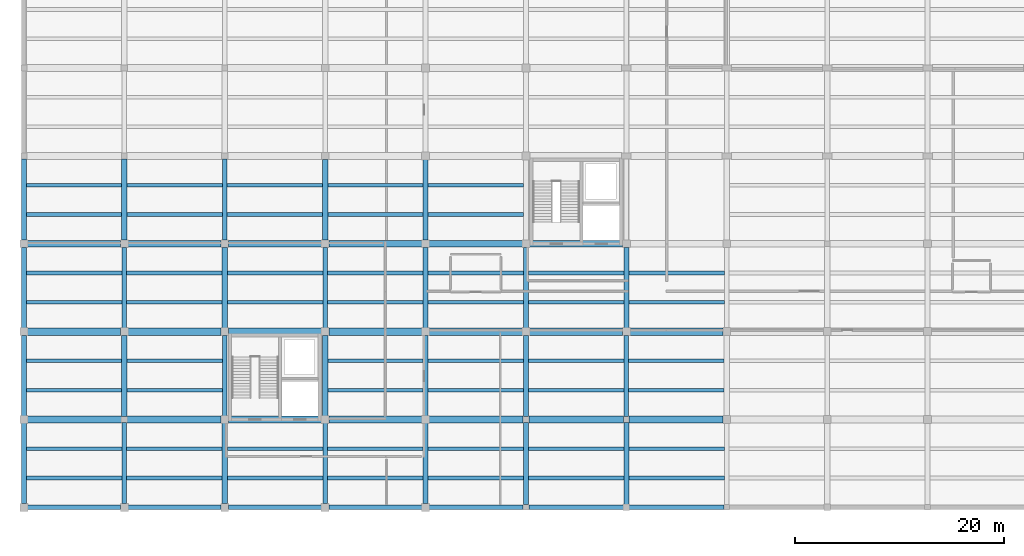
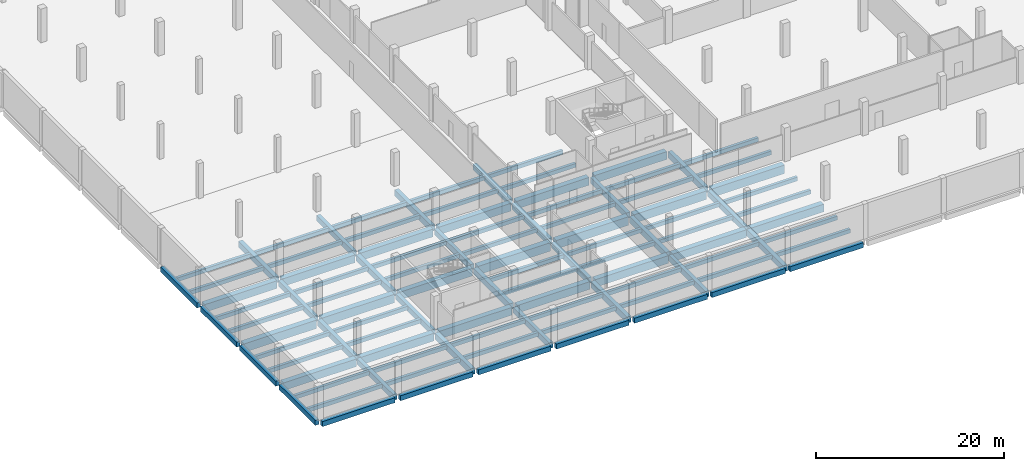
# One storey, part 5 of 30: 103 beams.
"""IFC4 building model written with IfcOpenShell, lengths in metres."""

import ifcopenshell
import ifcopenshell.guid

model = None  # the IFC model being written
_history = None  # IfcOwnerHistory: only IFC2X3 demands one
_inside = {}  # id of a spatial element -> (the spatial element, [elements in it])
_under = {}  # id of a project, library or spatial element -> (it, [spatial elements below it])
_declared = {}  # id of a project -> (the project, [libraries it declares])
_typed = {}  # id of a type object -> (the type object, [elements of that type])
_made_of = {}  # id of a material, layer set ... -> (it, [elements and type objects made of it])


def new_model(schema):
    """Start an empty IFC model of exactly this schema.

    Asked for "IFC4X3", IfcOpenShell would pick the latest addendum, in which some entities
    have other attributes; the version numbers below select the first issue.
    IFC2X3 requires an IfcOwnerHistory on every rooted entity: one is made here for all.
    """
    global model, _history
    if schema == "IFC4X3":
        model = ifcopenshell.file(schema_version=(4, 3, 0, 0))
    else:
        model = ifcopenshell.file(schema=schema)
    _inside.clear()
    _under.clear()
    _declared.clear()
    _typed.clear()
    _made_of.clear()
    _history = None
    if model.schema == "IFC2X3":
        org = make("IfcOrganization", Name="unknown")
        user = make(
            "IfcPersonAndOrganization",
            ThePerson=make("IfcPerson", FamilyName="unknown"),
            TheOrganization=org,
        )
        app = make(
            "IfcApplication",
            ApplicationDeveloper=org,
            Version="unknown",
            ApplicationFullName="unknown",
            ApplicationIdentifier="unknown",
        )
        _history = make(
            "IfcOwnerHistory",
            OwningUser=user,
            OwningApplication=app,
            ChangeAction="ADDED",
            CreationDate=0,
        )
    return model


def make(cls, **values):
    """One entity of the class cls with the attributes given. An attribute that is None is left unset."""
    return model.create_entity(
        cls, **{name: value for name, value in values.items() if value is not None}
    )


def rooted(cls, **values):
    """An entity with a GlobalId (a new one), such as an element, a storey or a relation."""
    return make(cls, GlobalId=ifcopenshell.guid.new(), OwnerHistory=_history, **values)


def si_unit(unit_type, name, prefix=None):
    """IfcSIUnit, for example si_unit("LENGTHUNIT", "METRE", prefix="MILLI")."""
    return make("IfcSIUnit", UnitType=unit_type, Prefix=prefix, Name=name)


def assignment(units):
    """IfcUnitAssignment: the units of a project."""
    return None if units is None else make("IfcUnitAssignment", Units=units)


def point(xyz):
    """IfcCartesianPoint."""
    return None if xyz is None else make("IfcCartesianPoint", Coordinates=xyz)


def direction(xyz):
    """IfcDirection."""
    return None if xyz is None else make("IfcDirection", DirectionRatios=xyz)


def frame(location, z_axis=None, x_axis=None):
    """IfcAxis2Placement3D, a coordinate frame: its origin and axes. An axis left out is left unset."""
    return make(
        "IfcAxis2Placement3D",
        Location=point(location),
        Axis=direction(z_axis),
        RefDirection=direction(x_axis),
    )


def frame_2d(location, x_axis=None):
    """IfcAxis2Placement2D, a coordinate frame in the plane: its origin and x axis."""
    return make(
        "IfcAxis2Placement2D", Location=point(location), RefDirection=direction(x_axis)
    )


def origin():
    """The frame at (0, 0, 0) with its axes left unset."""
    return frame((0.0, 0.0, 0.0))


def origin_2d():
    """The frame at (0, 0) in the plane with its x axis left unset."""
    return frame_2d((0.0, 0.0))


def place(relative_to, where):
    """IfcLocalPlacement: puts the frame where relative to a parent placement (None: the world)."""
    return make(
        "IfcLocalPlacement", PlacementRelTo=relative_to, RelativePlacement=where
    )


def context(
    kind, dimensions, precision=None, world=None, true_north=None, identifier=None
):
    """IfcGeometricRepresentationContext, for example the 3D "Model" context."""
    return make(
        "IfcGeometricRepresentationContext",
        ContextIdentifier=identifier,
        ContextType=kind,
        CoordinateSpaceDimension=dimensions,
        Precision=precision,
        WorldCoordinateSystem=world,
        TrueNorth=true_north,
    )


def subcontext(parent, identifier, kind, view, scale=None):
    """IfcGeometricRepresentationSubContext, for example "Body" below "Model"."""
    return make(
        "IfcGeometricRepresentationSubContext",
        ContextIdentifier=identifier,
        ContextType=kind,
        ParentContext=parent,
        TargetScale=scale,
        TargetView=view,
    )


def project(units=None, contexts=None):
    """IfcProject with its units and contexts."""
    return rooted(
        "IfcProject",
        Name="project",
        RepresentationContexts=contexts,
        UnitsInContext=assignment(units),
    )


def spatial(cls, under=None, at=None, **own):
    """A site, building, storey or space (cls), placed at a placement, below another one or the project."""
    s = rooted(cls, ObjectPlacement=at, **own)
    if under is not None:
        _under.setdefault(under.id(), (under, []))[1].append(s)
    return s


def profile(cls, at=None, kind="AREA", **sizes):
    """A parametric profile (cls). Its sizes go by their IFC names, for example OverallWidth=200.0."""
    return make(cls, ProfileType=kind, Position=at, **sizes)


def rectangle(**sizes):
    """IfcRectangleProfileDef."""
    return profile("IfcRectangleProfileDef", **sizes)


def extrude(swept, where, along, depth):
    """IfcExtrudedAreaSolid: the profile swept, set in the frame where, extruded along a direction by depth."""
    return make(
        "IfcExtrudedAreaSolid",
        SweptArea=swept,
        Position=where,
        ExtrudedDirection=direction(along),
        Depth=depth,
    )


def shape(context_of_items, identifier, shape_type, items):
    """IfcShapeRepresentation: the items that make up one representation, for example the "Body"."""
    return make(
        "IfcShapeRepresentation",
        ContextOfItems=context_of_items,
        RepresentationIdentifier=identifier,
        RepresentationType=shape_type,
        Items=items,
    )


def material(Name=None, Category=None):
    """IfcMaterial."""
    return make("IfcMaterial", Name=Name, Category=Category)


def material_profile(
    of_material, cross_section, Name=None, Category=None, Priority=None
):
    """IfcMaterialProfile: a cross section and its material."""
    return make(
        "IfcMaterialProfile",
        Name=Name,
        Material=of_material,
        Profile=cross_section,
        Priority=Priority,
        Category=Category,
    )


def profile_set(profiles, Name=None, composite=None):
    """IfcMaterialProfileSet."""
    return make(
        "IfcMaterialProfileSet",
        Name=Name,
        MaterialProfiles=profiles,
        CompositeProfile=composite,
    )


def made_of(thing, what):
    """Note that an element or type object is made of a material, layer set ...; save() writes the relation."""
    if what is not None:
        _made_of.setdefault(what.id(), (what, []))[1].append(thing)
    return thing


def type_object(cls, material=None, **own):
    """A type object (cls), such as IfcWallType, which elements share."""
    return made_of(rooted(cls, **own), material)


def element(
    cls,
    number,
    at=None,
    inside=None,
    cuts=None,
    type_object=None,
    material=None,
    context=None,
    identifier="Body",
    shape_type=None,
    held_by="IfcProductDefinitionShape",
    body=None,
    shapes=None,
    **own,
):
    """One element of the class cls, such as IfcWall. Its Tag is "e" and its number.

    at: its placement. inside: the storey or other place that contains it. cuts: it is an
    opening in that element (IfcRelVoidsElement). A single representation is given by context,
    identifier, shape_type and body (its items); several are given by shapes. held_by: the class
    of the entity that holds the representations. save() writes the other relations.
    """
    e = rooted(cls, Tag="e%d" % number, ObjectPlacement=at, **own)
    if body is not None:
        shapes = [shape(context, identifier, shape_type, body)]
    if shapes is not None:
        e.Representation = make(held_by, Representations=shapes)
    if inside is not None:
        _inside.setdefault(inside.id(), (inside, []))[1].append(e)
    if cuts is not None:
        rooted(
            "IfcRelVoidsElement", RelatingBuildingElement=cuts, RelatedOpeningElement=e
        )
    if type_object is not None:
        _typed.setdefault(type_object.id(), (type_object, []))[1].append(e)
    return made_of(e, material)


def aggregate(whole, parts):
    """IfcRelAggregates: a whole, such as a stair, and the parts it consists of."""
    return rooted("IfcRelAggregates", RelatingObject=whole, RelatedObjects=parts)


def save(model, path):
    """Write the relations noted so far, then the file.

    IfcRelAggregates (storeys below a building ...), IfcRelContainedInSpatialStructure (elements
    in a storey), IfcRelDefinesByType, IfcRelAssociatesMaterial and IfcRelDeclares: one each for
    every whole, place, type object, material and project.
    """
    for whole, parts in _under.values():
        aggregate(whole, parts)
    for where, things in _inside.values():
        rooted(
            "IfcRelContainedInSpatialStructure",
            RelatedElements=things,
            RelatingStructure=where,
        )
    for kind, things in _typed.values():
        rooted("IfcRelDefinesByType", RelatedObjects=things, RelatingType=kind)
    for what, things in _made_of.values():
        rooted("IfcRelAssociatesMaterial", RelatedObjects=things, RelatingMaterial=what)
    for by, libraries in _declared.values():
        rooted("IfcRelDeclares", RelatingContext=by, RelatedDefinitions=libraries)
    model.write(path)


model = new_model("IFC4")

# Units and contexts
model_context = context("Model", 3, precision=1e-05, world=origin(), true_north=direction((0.0, 1.0)))
body_context = subcontext(model_context, "Body", "Model", "MODEL_VIEW")
ifc_project = project(units=[si_unit("LENGTHUNIT", "METRE"), si_unit("AREAUNIT", "SQUARE_METRE"), si_unit("VOLUMEUNIT", "CUBIC_METRE"), si_unit("PLANEANGLEUNIT", "RADIAN"), si_unit("MASSUNIT", "GRAM", prefix="KILO")], contexts=[model_context])

# Site, building, storey
site_placement = place(None, origin())
site = spatial("IfcSite", under=ifc_project, at=site_placement, CompositionType="ELEMENT")
building_placement = place(site_placement, origin())
building = spatial("IfcBuilding", under=site, at=building_placement, Name="Lornevale Opera House", CompositionType="ELEMENT")
storey_placement = place(building_placement, frame((0.0, 0.0, -4.800048828125)))
storey = spatial("IfcBuildingStorey", under=building, at=storey_placement, Name="B1", CompositionType="ELEMENT", Elevation=-4.800048828125)

# Beams
ifc_material_1 = material(Name="Concrete 35 MPa (CSA A23.1 N)", Category="concrete")
ifc_material_profile_1 = material_profile(ifc_material_1, rectangle(XDim=0.449951171875, YDim=0.75, at=origin_2d()), Name="RC450x750")
ifc_profile_set_1 = profile_set([ifc_material_profile_1], Name="Concrete 35 MPa (CSA A23.1 N)")
beam_type_1 = type_object("IfcBeamType", Name="Concrete Floor Beam 450x750", PredefinedType="USERDEFINED", material=ifc_profile_set_1)
beam_1_placement = place(storey_placement, frame((9.60009765625, 0.35009765625, -0.794921875), z_axis=(0.0, 1.0, 0.0), x_axis=(-1.0, 0.0, 0.0)))
element("IfcBeam", 1, at=beam_1_placement, inside=storey, type_object=beam_type_1, Name="Concrete Floor Beam 450x750 0246", ObjectType="GIRDER", PredefinedType="USERDEFINED", context=body_context, shape_type="SweptSolid", body=[
    extrude(rectangle(XDim=0.449951171875, YDim=0.75, at=origin_2d()), origin(), (0.0, 0.0, 1.0), 7.77490234375),
])
beam_2_placement = place(storey_placement, frame((9.60009765625, 17.14990234375, -0.794921875), z_axis=(0.0, 1.0, 0.0), x_axis=(-1.0, 0.0, 0.0)))
element("IfcBeam", 2, at=beam_2_placement, inside=storey, type_object=beam_type_1, Name="Concrete Floor Beam 450x750 0248", ObjectType="GIRDER", PredefinedType="USERDEFINED", context=body_context, shape_type="SweptSolid", body=[
    extrude(rectangle(XDim=0.449951171875, YDim=0.75, at=origin_2d()), origin(), (0.0, 0.0, 1.0), 7.7001953125),
])
beam_3_placement = place(storey_placement, frame((19.199951171875, 8.75, -0.794921875), z_axis=(0.0, 1.0, 0.0), x_axis=(-1.0, 0.0, 0.0)))
element("IfcBeam", 3, at=beam_3_placement, inside=storey, type_object=beam_type_1, Name="Concrete Floor Beam 450x750 0259", ObjectType="GIRDER", PredefinedType="USERDEFINED", context=body_context, shape_type="SweptSolid", body=[
    extrude(rectangle(XDim=0.449951171875, YDim=0.75, at=origin_2d()), origin(), (0.0, 0.0, 1.0), 7.699951171875),
])
beam_4_placement = place(storey_placement, frame((19.199951171875, 25.550048828125, -0.794921875), z_axis=(0.0, 1.0, 0.0), x_axis=(-1.0, 0.0, 0.0)))
element("IfcBeam", 4, at=beam_4_placement, inside=storey, type_object=beam_type_1, Name="Concrete Floor Beam 450x750 0261", ObjectType="GIRDER", PredefinedType="USERDEFINED", context=body_context, shape_type="SweptSolid", body=[
    extrude(rectangle(XDim=0.449951171875, YDim=0.75, at=origin_2d()), origin(), (0.0, 0.0, 1.0), 7.77490234375),
])
beam_5_placement = place(storey_placement, frame((28.800048828125, 0.35009765625, -0.794921875), z_axis=(0.0, 1.0, 0.0), x_axis=(-1.0, 0.0, 0.0)))
element("IfcBeam", 5, at=beam_5_placement, inside=storey, type_object=beam_type_1, Name="Concrete Floor Beam 450x750 0270", ObjectType="GIRDER", PredefinedType="USERDEFINED", context=body_context, shape_type="SweptSolid", body=[
    extrude(rectangle(XDim=0.449951171875, YDim=0.75, at=origin_2d()), origin(), (0.0, 0.0, 1.0), 7.699951171875),
])
beam_6_placement = place(storey_placement, frame((28.800048828125, 17.14990234375, -0.794921875), z_axis=(0.0, 1.0, 0.0), x_axis=(-1.0, 0.0, 0.0)))
element("IfcBeam", 6, at=beam_6_placement, inside=storey, type_object=beam_type_1, Name="Concrete Floor Beam 450x750 0272", ObjectType="GIRDER", PredefinedType="USERDEFINED", context=body_context, shape_type="SweptSolid", body=[
    extrude(rectangle(XDim=0.449951171875, YDim=0.75, at=origin_2d()), origin(), (0.0, 0.0, 1.0), 7.7001953125),
])
for number, where, z_axis, x_axis, name in (
    (7, (38.39990234375, 8.75, -0.794921875), (0.0, 1.0, 0.0), (-1.0, 0.0, 0.0), "Concrete Floor Beam 450x750 0283"),
    (8, (38.39990234375, 25.550048828125, -0.794921875), (0.0, 1.0, 0.0), (-1.0, 0.0, 0.0), "Concrete Floor Beam 450x750 0285"),
):
    element("IfcBeam", number, at=place(storey_placement, frame(where, z_axis=z_axis, x_axis=x_axis)), inside=storey, type_object=beam_type_1, Name=name, ObjectType="GIRDER", PredefinedType="USERDEFINED", context=body_context, shape_type="SweptSolid", body=[
        extrude(rectangle(XDim=0.449951171875, YDim=0.75, at=origin_2d()), origin(), (0.0, 0.0, 1.0), 7.699951171875),
    ])
beam_7_placement = place(storey_placement, frame((48.0, 0.27490234375, -0.794921875), z_axis=(0.0, 1.0, 0.0), x_axis=(-1.0, 0.0, 0.0)))
element("IfcBeam", 9, at=beam_7_placement, inside=storey, type_object=beam_type_1, Name="Concrete Floor Beam 450x750 0296", ObjectType="GIRDER", PredefinedType="USERDEFINED", context=body_context, shape_type="SweptSolid", body=[
    extrude(rectangle(XDim=0.449951171875, YDim=0.75, at=origin_2d()), origin(), (0.0, 0.0, 1.0), 7.85009765625),
])
beam_8_placement = place(storey_placement, frame((48.0, 17.14990234375, -0.794921875), z_axis=(0.0, 1.0, 0.0), x_axis=(-1.0, 0.0, 0.0)))
element("IfcBeam", 10, at=beam_8_placement, inside=storey, type_object=beam_type_1, Name="Concrete Floor Beam 450x750 0298", ObjectType="GIRDER", PredefinedType="USERDEFINED", context=body_context, shape_type="SweptSolid", body=[
    extrude(rectangle(XDim=0.449951171875, YDim=0.75, at=origin_2d()), origin(), (0.0, 0.0, 1.0), 7.7001953125),
])
beam_9_placement = place(storey_placement, frame((57.60009765625, 8.675048828125, -0.794921875), z_axis=(0.0, 1.0, 0.0), x_axis=(-1.0, 0.0, 0.0)))
element("IfcBeam", 11, at=beam_9_placement, inside=storey, type_object=beam_type_1, Name="Concrete Floor Beam 450x750 0311", ObjectType="GIRDER", PredefinedType="USERDEFINED", context=body_context, shape_type="SweptSolid", body=[
    extrude(rectangle(XDim=0.449951171875, YDim=0.75, at=origin_2d()), origin(), (0.0, 0.0, 1.0), 7.77490234375),
])
ifc_material_profile_2 = material_profile(ifc_material_1, rectangle(XDim=0.5, YDim=0.800048828125, at=origin_2d()), Name="RC500x800")
ifc_profile_set_2 = profile_set([ifc_material_profile_2], Name="Concrete 35 MPa (CSA A23.1 N)")
beam_type_2 = type_object("IfcBeamType", Name="Concrete Floor Beam 500x800", PredefinedType="USERDEFINED", material=ifc_profile_set_2)
for number, where, z_axis, x_axis, name in (
    (12, (9.60009765625, 8.675048828125, -0.820068359375), (0.0, 1.0, 0.0), (-1.0, 0.0, 0.0), "Concrete Floor Beam 500x800 0247"),
    (13, (9.60009765625, 25.550048828125, -0.820068359375), (0.0, 1.0, 0.0), (-1.0, 0.0, 0.0), "Concrete Floor Beam 500x800 0249"),
):
    element("IfcBeam", number, at=place(storey_placement, frame(where, z_axis=z_axis, x_axis=x_axis)), inside=storey, type_object=beam_type_2, Name=name, ObjectType="GIRDER", PredefinedType="USERDEFINED", context=body_context, shape_type="SweptSolid", body=[
        extrude(rectangle(XDim=0.5, YDim=0.800048828125, at=origin_2d()), origin(), (0.0, 0.0, 1.0), 7.77490234375),
    ])
beam_10_placement = place(storey_placement, frame((19.199951171875, 0.35009765625, -0.820068359375), z_axis=(0.0, 1.0, 0.0), x_axis=(-1.0, 0.0, 0.0)))
element("IfcBeam", 14, at=beam_10_placement, inside=storey, type_object=beam_type_2, Name="Concrete Floor Beam 500x800 0258", ObjectType="GIRDER", PredefinedType="USERDEFINED", context=body_context, shape_type="SweptSolid", body=[
    extrude(rectangle(XDim=0.5, YDim=0.800048828125, at=origin_2d()), origin(), (0.0, 0.0, 1.0), 7.699951171875),
])
beam_11_placement = place(storey_placement, frame((19.199951171875, 17.14990234375, -0.820068359375), z_axis=(0.0, 1.0, 0.0), x_axis=(-1.0, 0.0, 0.0)))
element("IfcBeam", 15, at=beam_11_placement, inside=storey, type_object=beam_type_2, Name="Concrete Floor Beam 500x800 0260", ObjectType="GIRDER", PredefinedType="USERDEFINED", context=body_context, shape_type="SweptSolid", body=[
    extrude(rectangle(XDim=0.5, YDim=0.800048828125, at=origin_2d()), origin(), (0.0, 0.0, 1.0), 7.7001953125),
])
beam_12_placement = place(storey_placement, frame((28.800048828125, 8.75, -0.820068359375), z_axis=(0.0, 1.0, 0.0), x_axis=(-1.0, 0.0, 0.0)))
element("IfcBeam", 16, at=beam_12_placement, inside=storey, type_object=beam_type_2, Name="Concrete Floor Beam 500x800 0271", ObjectType="GIRDER", PredefinedType="USERDEFINED", context=body_context, shape_type="SweptSolid", body=[
    extrude(rectangle(XDim=0.5, YDim=0.800048828125, at=origin_2d()), origin(), (0.0, 0.0, 1.0), 7.699951171875),
])
beam_13_placement = place(storey_placement, frame((28.800048828125, 25.550048828125, -0.820068359375), z_axis=(0.0, 1.0, 0.0), x_axis=(-1.0, 0.0, 0.0)))
element("IfcBeam", 17, at=beam_13_placement, inside=storey, type_object=beam_type_2, Name="Concrete Floor Beam 500x800 0273", ObjectType="GIRDER", PredefinedType="USERDEFINED", context=body_context, shape_type="SweptSolid", body=[
    extrude(rectangle(XDim=0.5, YDim=0.800048828125, at=origin_2d()), origin(), (0.0, 0.0, 1.0), 7.724853515625),
])
beam_14_placement = place(storey_placement, frame((38.39990234375, 0.35009765625, -0.820068359375), z_axis=(0.0, 1.0, 0.0), x_axis=(-1.0, 0.0, 0.0)))
element("IfcBeam", 18, at=beam_14_placement, inside=storey, type_object=beam_type_2, Name="Concrete Floor Beam 500x800 0282", ObjectType="GIRDER", PredefinedType="USERDEFINED", context=body_context, shape_type="SweptSolid", body=[
    extrude(rectangle(XDim=0.5, YDim=0.800048828125, at=origin_2d()), origin(), (0.0, 0.0, 1.0), 7.699951171875),
])
beam_15_placement = place(storey_placement, frame((38.39990234375, 17.14990234375, -0.820068359375), z_axis=(0.0, 1.0, 0.0), x_axis=(-1.0, 0.0, 0.0)))
element("IfcBeam", 19, at=beam_15_placement, inside=storey, type_object=beam_type_2, Name="Concrete Floor Beam 500x800 0284", ObjectType="GIRDER", PredefinedType="USERDEFINED", context=body_context, shape_type="SweptSolid", body=[
    extrude(rectangle(XDim=0.5, YDim=0.800048828125, at=origin_2d()), origin(), (0.0, 0.0, 1.0), 7.7001953125),
])
beam_16_placement = place(storey_placement, frame((48.0, 8.675048828125, -0.820068359375), z_axis=(0.0, 1.0, 0.0), x_axis=(-1.0, 0.0, 0.0)))
element("IfcBeam", 20, at=beam_16_placement, inside=storey, type_object=beam_type_2, Name="Concrete Floor Beam 500x800 0297", ObjectType="GIRDER", PredefinedType="USERDEFINED", context=body_context, shape_type="SweptSolid", body=[
    extrude(rectangle(XDim=0.5, YDim=0.800048828125, at=origin_2d()), origin(), (0.0, 0.0, 1.0), 7.77490234375),
])
beam_17_placement = place(storey_placement, frame((57.60009765625, 0.27490234375, -0.820068359375), z_axis=(0.0, 1.0, 0.0), x_axis=(-1.0, 0.0, 0.0)))
element("IfcBeam", 21, at=beam_17_placement, inside=storey, type_object=beam_type_2, Name="Concrete Floor Beam 500x800 0310", ObjectType="GIRDER", PredefinedType="USERDEFINED", context=body_context, shape_type="SweptSolid", body=[
    extrude(rectangle(XDim=0.5, YDim=0.800048828125, at=origin_2d()), origin(), (0.0, 0.0, 1.0), 7.85009765625),
])
beam_18_placement = place(storey_placement, frame((57.60009765625, 17.14990234375, -0.820068359375), z_axis=(0.0, 1.0, 0.0), x_axis=(-1.0, 0.0, 0.0)))
element("IfcBeam", 22, at=beam_18_placement, inside=storey, type_object=beam_type_2, Name="Concrete Floor Beam 500x800 0312", ObjectType="GIRDER", PredefinedType="USERDEFINED", context=body_context, shape_type="SweptSolid", body=[
    extrude(rectangle(XDim=0.5, YDim=0.800048828125, at=origin_2d()), origin(), (0.0, 0.0, 1.0), 7.7001953125),
])
ifc_material_2 = material(Name="Concrete 40 MPa (CSA A23.1 C-1)", Category="concrete")
ifc_material_profile_3 = material_profile(ifc_material_2, rectangle(XDim=0.64990234375, YDim=1.0, at=origin_2d()), Name="RC650x1000")
ifc_profile_set_3 = profile_set([ifc_material_profile_3], Name="Concrete 40 MPa (CSA A23.1 C-1)")
beam_type_3 = type_object("IfcBeamType", Name="Concrete Primary Girder 650x1000", PredefinedType="USERDEFINED", material=ifc_profile_set_3)
beam_19_placement = place(storey_placement, frame((0.35009765625, 8.39990234375, -0.919921875), z_axis=(1.0, 0.0, 0.0), x_axis=(0.0, 1.0, 0.0)))
element("IfcBeam", 23, at=beam_19_placement, inside=storey, type_object=beam_type_3, Name="Concrete Primary Girder 650x1000 0014", ObjectType="GIRDER", PredefinedType="USERDEFINED", context=body_context, shape_type="SweptSolid", body=[
    extrude(rectangle(XDim=0.64990234375, YDim=1.0, at=origin_2d()), origin(), (0.0, 0.0, 1.0), 8.974853515625),
])
beam_20_placement = place(storey_placement, frame((9.875, 8.39990234375, -0.919921875), z_axis=(1.0, 0.0, 0.0), x_axis=(0.0, 1.0, 0.0)))
element("IfcBeam", 24, at=beam_20_placement, inside=storey, type_object=beam_type_3, Name="Concrete Primary Girder 650x1000 0015", ObjectType="GIRDER", PredefinedType="USERDEFINED", context=body_context, shape_type="SweptSolid", body=[
    extrude(rectangle(XDim=0.64990234375, YDim=1.0, at=origin_2d()), origin(), (0.0, 0.0, 1.0), 8.97509765625),
])
beam_21_placement = place(storey_placement, frame((19.550048828125, 8.39990234375, -0.919921875), z_axis=(1.0, 0.0, 0.0), x_axis=(0.0, 1.0, 0.0)))
element("IfcBeam", 25, at=beam_21_placement, inside=storey, type_object=beam_type_3, Name="Concrete Primary Girder 650x1000 0016", ObjectType="GIRDER", PredefinedType="USERDEFINED", context=body_context, shape_type="SweptSolid", body=[
    extrude(rectangle(XDim=0.64990234375, YDim=1.0, at=origin_2d()), origin(), (0.0, 0.0, 1.0), 8.89990234375),
])
beam_22_placement = place(storey_placement, frame((29.14990234375, 8.39990234375, -0.919921875), z_axis=(1.0, 0.0, 0.0), x_axis=(0.0, 1.0, 0.0)))
element("IfcBeam", 26, at=beam_22_placement, inside=storey, type_object=beam_type_3, Name="Concrete Primary Girder 650x1000 0017", ObjectType="GIRDER", PredefinedType="USERDEFINED", context=body_context, shape_type="SweptSolid", body=[
    extrude(rectangle(XDim=0.64990234375, YDim=1.0, at=origin_2d()), origin(), (0.0, 0.0, 1.0), 8.900146484375),
])
beam_23_placement = place(storey_placement, frame((38.75, 8.39990234375, -0.919921875), z_axis=(1.0, 0.0, 0.0), x_axis=(0.0, 1.0, 0.0)))
element("IfcBeam", 27, at=beam_23_placement, inside=storey, type_object=beam_type_3, Name="Concrete Primary Girder 650x1000 0018", ObjectType="GIRDER", PredefinedType="USERDEFINED", context=body_context, shape_type="SweptSolid", body=[
    extrude(rectangle(XDim=0.64990234375, YDim=1.0, at=origin_2d()), origin(), (0.0, 0.0, 1.0), 8.97509765625),
])
beam_24_placement = place(storey_placement, frame((48.27490234375, 8.39990234375, -0.919921875), z_axis=(1.0, 0.0, 0.0), x_axis=(0.0, 1.0, 0.0)))
element("IfcBeam", 28, at=beam_24_placement, inside=storey, type_object=beam_type_3, Name="Concrete Primary Girder 650x1000 0019", ObjectType="GIRDER", PredefinedType="USERDEFINED", context=body_context, shape_type="SweptSolid", body=[
    extrude(rectangle(XDim=0.64990234375, YDim=1.0, at=origin_2d()), origin(), (0.0, 0.0, 1.0), 9.050048828125),
])
beam_25_placement = place(storey_placement, frame((57.875, 8.39990234375, -0.919921875), z_axis=(1.0, 0.0, 0.0), x_axis=(0.0, 1.0, 0.0)))
element("IfcBeam", 29, at=beam_25_placement, inside=storey, type_object=beam_type_3, Name="Concrete Primary Girder 650x1000 0020", ObjectType="GIRDER", PredefinedType="USERDEFINED", context=body_context, shape_type="SweptSolid", body=[
    extrude(rectangle(XDim=0.64990234375, YDim=1.0, at=origin_2d()), origin(), (0.0, 0.0, 1.0), 8.97509765625),
])
for number, where, z_axis, x_axis, name in (
    (30, (19.550048828125, 16.800048828125, -0.919921875), (1.0, 0.0, 0.0), (0.0, 1.0, 0.0), "Concrete Primary Girder 650x1000 0032"),
    (31, (0.35009765625, 25.199951171875, -0.919921875), (1.0, 0.0, 0.0), (0.0, 1.0, 0.0), "Concrete Primary Girder 650x1000 0047"),
):
    element("IfcBeam", number, at=place(storey_placement, frame(where, z_axis=z_axis, x_axis=x_axis)), inside=storey, type_object=beam_type_3, Name=name, ObjectType="GIRDER", PredefinedType="USERDEFINED", context=body_context, shape_type="SweptSolid", body=[
        extrude(rectangle(XDim=0.64990234375, YDim=1.0, at=origin_2d()), origin(), (0.0, 0.0, 1.0), 8.89990234375),
    ])
beam_26_placement = place(storey_placement, frame((9.949951171875, 25.199951171875, -0.919921875), z_axis=(1.0, 0.0, 0.0), x_axis=(0.0, 1.0, 0.0)))
element("IfcBeam", 32, at=beam_26_placement, inside=storey, type_object=beam_type_3, Name="Concrete Primary Girder 650x1000 0048", ObjectType="GIRDER", PredefinedType="USERDEFINED", context=body_context, shape_type="SweptSolid", body=[
    extrude(rectangle(XDim=0.64990234375, YDim=1.0, at=origin_2d()), origin(), (0.0, 0.0, 1.0), 8.900146484375),
])
beam_27_placement = place(storey_placement, frame((19.550048828125, 25.199951171875, -0.919921875), z_axis=(1.0, 0.0, 0.0), x_axis=(0.0, 1.0, 0.0)))
element("IfcBeam", 33, at=beam_27_placement, inside=storey, type_object=beam_type_3, Name="Concrete Primary Girder 650x1000 0049", ObjectType="GIRDER", PredefinedType="USERDEFINED", context=body_context, shape_type="SweptSolid", body=[
    extrude(rectangle(XDim=0.64990234375, YDim=1.0, at=origin_2d()), origin(), (0.0, 0.0, 1.0), 8.89990234375),
])
beam_28_placement = place(storey_placement, frame((29.14990234375, 25.199951171875, -0.919921875), z_axis=(1.0, 0.0, 0.0), x_axis=(0.0, 1.0, 0.0)))
element("IfcBeam", 34, at=beam_28_placement, inside=storey, type_object=beam_type_3, Name="Concrete Primary Girder 650x1000 0050", ObjectType="GIRDER", PredefinedType="USERDEFINED", context=body_context, shape_type="SweptSolid", body=[
    extrude(rectangle(XDim=0.64990234375, YDim=1.0, at=origin_2d()), origin(), (0.0, 0.0, 1.0), 8.900146484375),
])
for number, where, z_axis, x_axis, name in (
    (35, (38.75, 25.199951171875, -0.919921875), (1.0, 0.0, 0.0), (0.0, 1.0, 0.0), "Concrete Primary Girder 650x1000 0051"),
    (36, (48.35009765625, 25.199951171875, -0.919921875), (1.0, 0.0, 0.0), (0.0, 1.0, 0.0), "Concrete Primary Girder 650x1000 0052"),
):
    element("IfcBeam", number, at=place(storey_placement, frame(where, z_axis=z_axis, x_axis=x_axis)), inside=storey, type_object=beam_type_3, Name=name, ObjectType="GIRDER", PredefinedType="USERDEFINED", context=body_context, shape_type="SweptSolid", body=[
        extrude(rectangle(XDim=0.64990234375, YDim=1.0, at=origin_2d()), origin(), (0.0, 0.0, 1.0), 8.89990234375),
    ])
ifc_material_profile_4 = material_profile(ifc_material_2, rectangle(XDim=0.699951171875, YDim=1.10009765625, at=origin_2d()), Name="RC700x1100")
ifc_profile_set_4 = profile_set([ifc_material_profile_4], Name="Concrete 40 MPa (CSA A23.1 C-1)")
beam_type_4 = type_object("IfcBeamType", Name="Concrete Primary Girder 700x1100", PredefinedType="USERDEFINED", material=ifc_profile_set_4)
beam_29_placement = place(storey_placement, frame((0.35009765625, 16.800048828125, -0.969970703125), z_axis=(1.0, 0.0, 0.0), x_axis=(0.0, 1.0, 0.0)))
element("IfcBeam", 37, at=beam_29_placement, inside=storey, type_object=beam_type_4, Name="Concrete Primary Girder 700x1100 0030", ObjectType="GIRDER", PredefinedType="USERDEFINED", context=body_context, shape_type="SweptSolid", body=[
    extrude(rectangle(XDim=0.699951171875, YDim=1.10009765625, at=origin_2d()), origin(), (0.0, 0.0, 1.0), 8.89990234375),
])
for number, where, z_axis, x_axis, name in (
    (38, (9.949951171875, 16.800048828125, -0.969970703125), (1.0, 0.0, 0.0), (0.0, 1.0, 0.0), "Concrete Primary Girder 700x1100 0031"),
    (39, (29.14990234375, 16.800048828125, -0.969970703125), (1.0, 0.0, 0.0), (0.0, 1.0, 0.0), "Concrete Primary Girder 700x1100 0033"),
):
    element("IfcBeam", number, at=place(storey_placement, frame(where, z_axis=z_axis, x_axis=x_axis)), inside=storey, type_object=beam_type_4, Name=name, ObjectType="GIRDER", PredefinedType="USERDEFINED", context=body_context, shape_type="SweptSolid", body=[
        extrude(rectangle(XDim=0.699951171875, YDim=1.10009765625, at=origin_2d()), origin(), (0.0, 0.0, 1.0), 8.900146484375),
    ])
for number, where, z_axis, x_axis, name in (
    (40, (38.75, 16.800048828125, -0.969970703125), (1.0, 0.0, 0.0), (0.0, 1.0, 0.0), "Concrete Primary Girder 700x1100 0034"),
    (41, (48.35009765625, 16.800048828125, -0.969970703125), (1.0, 0.0, 0.0), (0.0, 1.0, 0.0), "Concrete Primary Girder 700x1100 0035"),
):
    element("IfcBeam", number, at=place(storey_placement, frame(where, z_axis=z_axis, x_axis=x_axis)), inside=storey, type_object=beam_type_4, Name=name, ObjectType="GIRDER", PredefinedType="USERDEFINED", context=body_context, shape_type="SweptSolid", body=[
        extrude(rectangle(XDim=0.699951171875, YDim=1.10009765625, at=origin_2d()), origin(), (0.0, 0.0, 1.0), 8.89990234375),
    ])
beam_30_placement = place(storey_placement, frame((57.949951171875, 16.800048828125, -0.969970703125), z_axis=(1.0, 0.0, 0.0), x_axis=(0.0, 1.0, 0.0)))
element("IfcBeam", 42, at=beam_30_placement, inside=storey, type_object=beam_type_4, Name="Concrete Primary Girder 700x1100 0036", ObjectType="GIRDER", PredefinedType="USERDEFINED", context=body_context, shape_type="SweptSolid", body=[
    extrude(rectangle(XDim=0.699951171875, YDim=1.10009765625, at=origin_2d()), origin(), (0.0, 0.0, 1.0), 8.900146484375),
])
ifc_material_profile_5 = material_profile(ifc_material_1, rectangle(XDim=0.35009765625, YDim=0.5, at=origin_2d()), Name="RC350x500")
ifc_profile_set_5 = profile_set([ifc_material_profile_5], Name="Concrete 35 MPa (CSA A23.1 N)")
beam_type_5 = type_object("IfcBeamType", Name="Concrete Secondary Rib 350x500", PredefinedType="JOIST", material=ifc_profile_set_5)
for number, where, z_axis, x_axis, name in (
    (43, (0.22509765625, 2.800048828125, -0.669921875), (1.0, 0.0, 0.0), (0.0, 1.0, 0.0), "Concrete Secondary Rib 350x500 0461"),
    (44, (0.22509765625, 5.60009765625, -0.669921875), (1.0, 0.0, 0.0), (0.0, 1.0, 0.0), "Concrete Secondary Rib 350x500 0462"),
):
    element("IfcBeam", number, at=place(storey_placement, frame(where, z_axis=z_axis, x_axis=x_axis)), inside=storey, type_object=beam_type_5, Name=name, PredefinedType="JOIST", context=body_context, shape_type="SweptSolid", body=[
        extrude(rectangle(XDim=0.35009765625, YDim=0.5, at=origin_2d()), origin(), (0.0, 0.0, 1.0), 9.14990234375),
    ])
for number, where, z_axis, x_axis, name in (
    (45, (0.22509765625, 11.199951171875, -0.669921875), (1.0, 0.0, 0.0), (0.0, 1.0, 0.0), "Concrete Secondary Rib 350x500 0463"),
    (46, (0.22509765625, 14.0, -0.669921875), (1.0, 0.0, 0.0), (0.0, 1.0, 0.0), "Concrete Secondary Rib 350x500 0464"),
):
    element("IfcBeam", number, at=place(storey_placement, frame(where, z_axis=z_axis, x_axis=x_axis)), inside=storey, type_object=beam_type_5, Name=name, PredefinedType="JOIST", context=body_context, shape_type="SweptSolid", body=[
        extrude(rectangle(XDim=0.35009765625, YDim=0.5, at=origin_2d()), origin(), (0.0, 0.0, 1.0), 9.125),
    ])
for number, where, z_axis, x_axis, name in (
    (47, (0.22509765625, 19.60009765625, -0.669921875), (1.0, 0.0, 0.0), (0.0, 1.0, 0.0), "Concrete Secondary Rib 350x500 0465"),
    (48, (0.22509765625, 22.39990234375, -0.669921875), (1.0, 0.0, 0.0), (0.0, 1.0, 0.0), "Concrete Secondary Rib 350x500 0466"),
):
    element("IfcBeam", number, at=place(storey_placement, frame(where, z_axis=z_axis, x_axis=x_axis)), inside=storey, type_object=beam_type_5, Name=name, PredefinedType="JOIST", context=body_context, shape_type="SweptSolid", body=[
        extrude(rectangle(XDim=0.35009765625, YDim=0.5, at=origin_2d()), origin(), (0.0, 0.0, 1.0), 9.14990234375),
    ])
for number, where, z_axis, x_axis, name in (
    (49, (0.22509765625, 28.0, -0.669921875), (1.0, 0.0, 0.0), (0.0, 1.0, 0.0), "Concrete Secondary Rib 350x500 0467"),
    (50, (0.22509765625, 30.800048828125, -0.669921875), (1.0, 0.0, 0.0), (0.0, 1.0, 0.0), "Concrete Secondary Rib 350x500 0468"),
    (51, (9.824951171875, 2.800048828125, -0.669921875), (1.0, 0.0, 0.0), (0.0, 1.0, 0.0), "Concrete Secondary Rib 350x500 0485"),
    (52, (9.824951171875, 5.60009765625, -0.669921875), (1.0, 0.0, 0.0), (0.0, 1.0, 0.0), "Concrete Secondary Rib 350x500 0486"),
    (53, (9.85009765625, 11.199951171875, -0.669921875), (1.0, 0.0, 0.0), (0.0, 1.0, 0.0), "Concrete Secondary Rib 350x500 0487"),
    (54, (9.85009765625, 14.0, -0.669921875), (1.0, 0.0, 0.0), (0.0, 1.0, 0.0), "Concrete Secondary Rib 350x500 0488"),
    (55, (9.824951171875, 19.60009765625, -0.669921875), (1.0, 0.0, 0.0), (0.0, 1.0, 0.0), "Concrete Secondary Rib 350x500 0489"),
    (56, (9.824951171875, 22.39990234375, -0.669921875), (1.0, 0.0, 0.0), (0.0, 1.0, 0.0), "Concrete Secondary Rib 350x500 0490"),
    (57, (9.85009765625, 28.0, -0.669921875), (1.0, 0.0, 0.0), (0.0, 1.0, 0.0), "Concrete Secondary Rib 350x500 0491"),
    (58, (9.85009765625, 30.800048828125, -0.669921875), (1.0, 0.0, 0.0), (0.0, 1.0, 0.0), "Concrete Secondary Rib 350x500 0492"),
    (59, (19.449951171875, 2.800048828125, -0.669921875), (1.0, 0.0, 0.0), (0.0, 1.0, 0.0), "Concrete Secondary Rib 350x500 0509"),
    (60, (19.449951171875, 5.60009765625, -0.669921875), (1.0, 0.0, 0.0), (0.0, 1.0, 0.0), "Concrete Secondary Rib 350x500 0510"),
    (61, (19.449951171875, 19.60009765625, -0.669921875), (1.0, 0.0, 0.0), (0.0, 1.0, 0.0), "Concrete Secondary Rib 350x500 0511"),
    (62, (19.449951171875, 22.39990234375, -0.669921875), (1.0, 0.0, 0.0), (0.0, 1.0, 0.0), "Concrete Secondary Rib 350x500 0512"),
    (63, (19.425048828125, 28.0, -0.669921875), (1.0, 0.0, 0.0), (0.0, 1.0, 0.0), "Concrete Secondary Rib 350x500 0513"),
    (64, (19.425048828125, 30.800048828125, -0.669921875), (1.0, 0.0, 0.0), (0.0, 1.0, 0.0), "Concrete Secondary Rib 350x500 0514"),
    (65, (29.02490234375, 2.800048828125, -0.669921875), (1.0, 0.0, 0.0), (0.0, 1.0, 0.0), "Concrete Secondary Rib 350x500 0529"),
    (66, (29.02490234375, 5.60009765625, -0.669921875), (1.0, 0.0, 0.0), (0.0, 1.0, 0.0), "Concrete Secondary Rib 350x500 0530"),
    (67, (29.050048828125, 11.199951171875, -0.669921875), (1.0, 0.0, 0.0), (0.0, 1.0, 0.0), "Concrete Secondary Rib 350x500 0531"),
    (68, (29.050048828125, 14.0, -0.669921875), (1.0, 0.0, 0.0), (0.0, 1.0, 0.0), "Concrete Secondary Rib 350x500 0532"),
    (69, (29.02490234375, 19.60009765625, -0.669921875), (1.0, 0.0, 0.0), (0.0, 1.0, 0.0), "Concrete Secondary Rib 350x500 0533"),
    (70, (29.02490234375, 22.39990234375, -0.669921875), (1.0, 0.0, 0.0), (0.0, 1.0, 0.0), "Concrete Secondary Rib 350x500 0534"),
    (71, (29.050048828125, 28.0, -0.669921875), (1.0, 0.0, 0.0), (0.0, 1.0, 0.0), "Concrete Secondary Rib 350x500 0535"),
    (72, (29.050048828125, 30.800048828125, -0.669921875), (1.0, 0.0, 0.0), (0.0, 1.0, 0.0), "Concrete Secondary Rib 350x500 0536"),
    (73, (38.64990234375, 2.800048828125, -0.669921875), (1.0, 0.0, 0.0), (0.0, 1.0, 0.0), "Concrete Secondary Rib 350x500 0553"),
    (74, (38.64990234375, 5.60009765625, -0.669921875), (1.0, 0.0, 0.0), (0.0, 1.0, 0.0), "Concrete Secondary Rib 350x500 0554"),
    (75, (38.625, 11.199951171875, -0.669921875), (1.0, 0.0, 0.0), (0.0, 1.0, 0.0), "Concrete Secondary Rib 350x500 0555"),
    (76, (38.625, 14.0, -0.669921875), (1.0, 0.0, 0.0), (0.0, 1.0, 0.0), "Concrete Secondary Rib 350x500 0556"),
    (77, (38.64990234375, 19.60009765625, -0.669921875), (1.0, 0.0, 0.0), (0.0, 1.0, 0.0), "Concrete Secondary Rib 350x500 0557"),
    (78, (38.64990234375, 22.39990234375, -0.669921875), (1.0, 0.0, 0.0), (0.0, 1.0, 0.0), "Concrete Secondary Rib 350x500 0558"),
    (79, (38.625, 28.0, -0.669921875), (1.0, 0.0, 0.0), (0.0, 1.0, 0.0), "Concrete Secondary Rib 350x500 0559"),
    (80, (38.625, 30.800048828125, -0.669921875), (1.0, 0.0, 0.0), (0.0, 1.0, 0.0), "Concrete Secondary Rib 350x500 0560"),
    (81, (48.22509765625, 2.800048828125, -0.669921875), (1.0, 0.0, 0.0), (0.0, 1.0, 0.0), "Concrete Secondary Rib 350x500 0581"),
    (82, (48.22509765625, 5.60009765625, -0.669921875), (1.0, 0.0, 0.0), (0.0, 1.0, 0.0), "Concrete Secondary Rib 350x500 0582"),
    (83, (48.25, 11.199951171875, -0.669921875), (1.0, 0.0, 0.0), (0.0, 1.0, 0.0), "Concrete Secondary Rib 350x500 0583"),
    (84, (48.25, 14.0, -0.669921875), (1.0, 0.0, 0.0), (0.0, 1.0, 0.0), "Concrete Secondary Rib 350x500 0584"),
    (85, (48.22509765625, 19.60009765625, -0.669921875), (1.0, 0.0, 0.0), (0.0, 1.0, 0.0), "Concrete Secondary Rib 350x500 0585"),
    (86, (48.22509765625, 22.39990234375, -0.669921875), (1.0, 0.0, 0.0), (0.0, 1.0, 0.0), "Concrete Secondary Rib 350x500 0586"),
    (87, (57.85009765625, 2.800048828125, -0.669921875), (1.0, 0.0, 0.0), (0.0, 1.0, 0.0), "Concrete Secondary Rib 350x500 0607"),
    (88, (57.85009765625, 5.60009765625, -0.669921875), (1.0, 0.0, 0.0), (0.0, 1.0, 0.0), "Concrete Secondary Rib 350x500 0608"),
    (89, (57.824951171875, 11.199951171875, -0.669921875), (1.0, 0.0, 0.0), (0.0, 1.0, 0.0), "Concrete Secondary Rib 350x500 0609"),
    (90, (57.824951171875, 14.0, -0.669921875), (1.0, 0.0, 0.0), (0.0, 1.0, 0.0), "Concrete Secondary Rib 350x500 0610"),
    (91, (57.85009765625, 19.60009765625, -0.669921875), (1.0, 0.0, 0.0), (0.0, 1.0, 0.0), "Concrete Secondary Rib 350x500 0611"),
    (92, (57.85009765625, 22.39990234375, -0.669921875), (1.0, 0.0, 0.0), (0.0, 1.0, 0.0), "Concrete Secondary Rib 350x500 0612"),
):
    element("IfcBeam", number, at=place(storey_placement, frame(where, z_axis=z_axis, x_axis=x_axis)), inside=storey, type_object=beam_type_5, Name=name, PredefinedType="JOIST", context=body_context, shape_type="SweptSolid", body=[
        extrude(rectangle(XDim=0.35009765625, YDim=0.5, at=origin_2d()), origin(), (0.0, 0.0, 1.0), 9.125),
    ])
ifc_material_profile_6 = material_profile(ifc_material_1, rectangle(XDim=0.449951171875, YDim=0.64990234375, at=origin_2d()), Name="RC450x650")
ifc_profile_set_6 = profile_set([ifc_material_profile_6], Name="Concrete 35 MPa (CSA A23.1 N)")
beam_type_6 = type_object("IfcBeamType", Name="Concrete Spandrel Beam 450x650", PredefinedType="SPANDREL", material=ifc_profile_set_6)
beam_31_placement = place(storey_placement, frame((0.35009765625, 0.0, -0.744873046875), z_axis=(1.0, 0.0, 0.0), x_axis=(0.0, 1.0, 0.0)))
element("IfcBeam", 93, at=beam_31_placement, inside=storey, type_object=beam_type_6, Name="Concrete Spandrel Beam 450x650 0001", PredefinedType="SPANDREL", context=body_context, shape_type="SweptSolid", body=[
    extrude(rectangle(XDim=0.449951171875, YDim=0.64990234375, at=origin_2d()), origin(), (0.0, 0.0, 1.0), 8.89990234375),
])
beam_32_placement = place(storey_placement, frame((9.949951171875, 0.0, -0.744873046875), z_axis=(1.0, 0.0, 0.0), x_axis=(0.0, 1.0, 0.0)))
element("IfcBeam", 94, at=beam_32_placement, inside=storey, type_object=beam_type_6, Name="Concrete Spandrel Beam 450x650 0002", PredefinedType="SPANDREL", context=body_context, shape_type="SweptSolid", body=[
    extrude(rectangle(XDim=0.449951171875, YDim=0.64990234375, at=origin_2d()), origin(), (0.0, 0.0, 1.0), 8.900146484375),
])
beam_33_placement = place(storey_placement, frame((19.550048828125, 0.0, -0.744873046875), z_axis=(1.0, 0.0, 0.0), x_axis=(0.0, 1.0, 0.0)))
element("IfcBeam", 95, at=beam_33_placement, inside=storey, type_object=beam_type_6, Name="Concrete Spandrel Beam 450x650 0003", PredefinedType="SPANDREL", context=body_context, shape_type="SweptSolid", body=[
    extrude(rectangle(XDim=0.449951171875, YDim=0.64990234375, at=origin_2d()), origin(), (0.0, 0.0, 1.0), 8.89990234375),
])
beam_34_placement = place(storey_placement, frame((29.14990234375, 0.0, -0.744873046875), z_axis=(1.0, 0.0, 0.0), x_axis=(0.0, 1.0, 0.0)))
element("IfcBeam", 96, at=beam_34_placement, inside=storey, type_object=beam_type_6, Name="Concrete Spandrel Beam 450x650 0004", PredefinedType="SPANDREL", context=body_context, shape_type="SweptSolid", body=[
    extrude(rectangle(XDim=0.449951171875, YDim=0.64990234375, at=origin_2d()), origin(), (0.0, 0.0, 1.0), 8.900146484375),
])
beam_35_placement = place(storey_placement, frame((38.75, 0.0, -0.744873046875), z_axis=(1.0, 0.0, 0.0), x_axis=(0.0, 1.0, 0.0)))
element("IfcBeam", 97, at=beam_35_placement, inside=storey, type_object=beam_type_6, Name="Concrete Spandrel Beam 450x650 0005", PredefinedType="SPANDREL", context=body_context, shape_type="SweptSolid", body=[
    extrude(rectangle(XDim=0.449951171875, YDim=0.64990234375, at=origin_2d()), origin(), (0.0, 0.0, 1.0), 8.97509765625),
])
for number, where, z_axis, x_axis, name in (
    (98, (48.27490234375, 0.0, -0.744873046875), (1.0, 0.0, 0.0), (0.0, 1.0, 0.0), "Concrete Spandrel Beam 450x650 0006"),
    (99, (57.875, 0.0, -0.744873046875), (1.0, 0.0, 0.0), (0.0, 1.0, 0.0), "Concrete Spandrel Beam 450x650 0007"),
):
    element("IfcBeam", number, at=place(storey_placement, frame(where, z_axis=z_axis, x_axis=x_axis)), inside=storey, type_object=beam_type_6, Name=name, PredefinedType="SPANDREL", context=body_context, shape_type="SweptSolid", body=[
        extrude(rectangle(XDim=0.449951171875, YDim=0.64990234375, at=origin_2d()), origin(), (0.0, 0.0, 1.0), 9.050048828125),
    ])
for number, where, z_axis, x_axis, name in (
    (100, (0.0, 0.35009765625, -0.744873046875), (0.0, 1.0, 0.0), (-1.0, 0.0, 0.0), "Concrete Spandrel Beam 450x650 0234"),
    (101, (0.0, 8.75, -0.744873046875), (0.0, 1.0, 0.0), (-1.0, 0.0, 0.0), "Concrete Spandrel Beam 450x650 0235"),
):
    element("IfcBeam", number, at=place(storey_placement, frame(where, z_axis=z_axis, x_axis=x_axis)), inside=storey, type_object=beam_type_6, Name=name, PredefinedType="SPANDREL", context=body_context, shape_type="SweptSolid", body=[
        extrude(rectangle(XDim=0.449951171875, YDim=0.64990234375, at=origin_2d()), origin(), (0.0, 0.0, 1.0), 7.699951171875),
    ])
beam_36_placement = place(storey_placement, frame((0.0, 17.14990234375, -0.744873046875), z_axis=(0.0, 1.0, 0.0), x_axis=(-1.0, 0.0, 0.0)))
element("IfcBeam", 102, at=beam_36_placement, inside=storey, type_object=beam_type_6, Name="Concrete Spandrel Beam 450x650 0236", PredefinedType="SPANDREL", context=body_context, shape_type="SweptSolid", body=[
    extrude(rectangle(XDim=0.449951171875, YDim=0.64990234375, at=origin_2d()), origin(), (0.0, 0.0, 1.0), 7.7001953125),
])
beam_37_placement = place(storey_placement, frame((0.0, 25.550048828125, -0.744873046875), z_axis=(0.0, 1.0, 0.0), x_axis=(-1.0, 0.0, 0.0)))
element("IfcBeam", 103, at=beam_37_placement, inside=storey, type_object=beam_type_6, Name="Concrete Spandrel Beam 450x650 0237", PredefinedType="SPANDREL", context=body_context, shape_type="SweptSolid", body=[
    extrude(rectangle(XDim=0.449951171875, YDim=0.64990234375, at=origin_2d()), origin(), (0.0, 0.0, 1.0), 7.77490234375),
])

save(model, "model.ifc")
